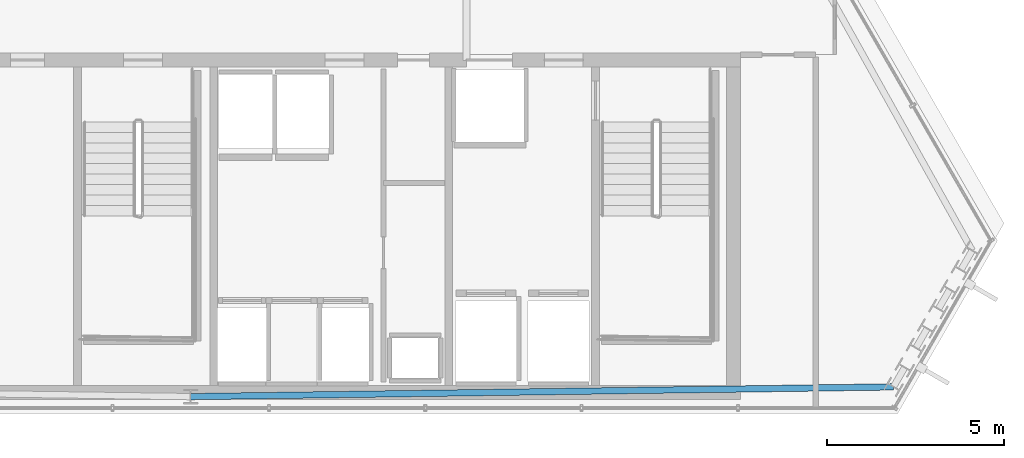
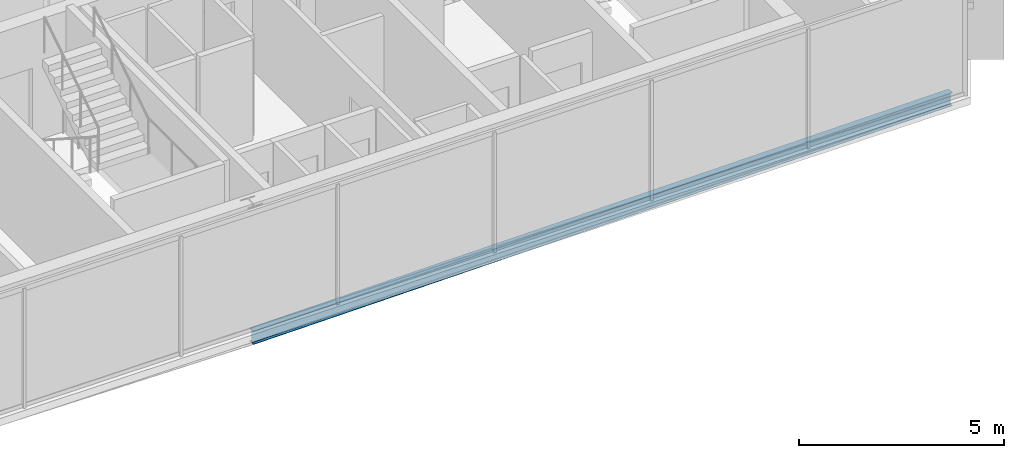
# One storey, part 21 of 34: 1 beam.
"""IFC4 building model written with IfcOpenShell, lengths in metres."""

import ifcopenshell
import ifcopenshell.guid

model = None  # the IFC model being written
_history = None  # IfcOwnerHistory: only IFC2X3 demands one
_inside = {}  # id of a spatial element -> (the spatial element, [elements in it])
_under = {}  # id of a project, library or spatial element -> (it, [spatial elements below it])
_declared = {}  # id of a project -> (the project, [libraries it declares])
_typed = {}  # id of a type object -> (the type object, [elements of that type])
_made_of = {}  # id of a material, layer set ... -> (it, [elements and type objects made of it])


def new_model(schema):
    """Start an empty IFC model of exactly this schema.

    Asked for "IFC4X3", IfcOpenShell would pick the latest addendum, in which some entities
    have other attributes; the version numbers below select the first issue.
    IFC2X3 requires an IfcOwnerHistory on every rooted entity: one is made here for all.
    """
    global model, _history
    if schema == "IFC4X3":
        model = ifcopenshell.file(schema_version=(4, 3, 0, 0))
    else:
        model = ifcopenshell.file(schema=schema)
    _inside.clear()
    _under.clear()
    _declared.clear()
    _typed.clear()
    _made_of.clear()
    _history = None
    if model.schema == "IFC2X3":
        org = make("IfcOrganization", Name="unknown")
        user = make(
            "IfcPersonAndOrganization",
            ThePerson=make("IfcPerson", FamilyName="unknown"),
            TheOrganization=org,
        )
        app = make(
            "IfcApplication",
            ApplicationDeveloper=org,
            Version="unknown",
            ApplicationFullName="unknown",
            ApplicationIdentifier="unknown",
        )
        _history = make(
            "IfcOwnerHistory",
            OwningUser=user,
            OwningApplication=app,
            ChangeAction="ADDED",
            CreationDate=0,
        )
    return model


def make(cls, **values):
    """One entity of the class cls with the attributes given. An attribute that is None is left unset."""
    return model.create_entity(
        cls, **{name: value for name, value in values.items() if value is not None}
    )


def rooted(cls, **values):
    """An entity with a GlobalId (a new one), such as an element, a storey or a relation."""
    return make(cls, GlobalId=ifcopenshell.guid.new(), OwnerHistory=_history, **values)


def si_unit(unit_type, name, prefix=None):
    """IfcSIUnit, for example si_unit("LENGTHUNIT", "METRE", prefix="MILLI")."""
    return make("IfcSIUnit", UnitType=unit_type, Prefix=prefix, Name=name)


def assignment(units):
    """IfcUnitAssignment: the units of a project."""
    return None if units is None else make("IfcUnitAssignment", Units=units)


def point(xyz):
    """IfcCartesianPoint."""
    return None if xyz is None else make("IfcCartesianPoint", Coordinates=xyz)


def direction(xyz):
    """IfcDirection."""
    return None if xyz is None else make("IfcDirection", DirectionRatios=xyz)


def frame(location, z_axis=None, x_axis=None):
    """IfcAxis2Placement3D, a coordinate frame: its origin and axes. An axis left out is left unset."""
    return make(
        "IfcAxis2Placement3D",
        Location=point(location),
        Axis=direction(z_axis),
        RefDirection=direction(x_axis),
    )


def frame_2d(location, x_axis=None):
    """IfcAxis2Placement2D, a coordinate frame in the plane: its origin and x axis."""
    return make(
        "IfcAxis2Placement2D", Location=point(location), RefDirection=direction(x_axis)
    )


def origin():
    """The frame at (0, 0, 0) with its axes left unset."""
    return frame((0.0, 0.0, 0.0))


def origin_2d():
    """The frame at (0, 0) in the plane with its x axis left unset."""
    return frame_2d((0.0, 0.0))


def place(relative_to, where):
    """IfcLocalPlacement: puts the frame where relative to a parent placement (None: the world)."""
    return make(
        "IfcLocalPlacement", PlacementRelTo=relative_to, RelativePlacement=where
    )


def context(
    kind, dimensions, precision=None, world=None, true_north=None, identifier=None
):
    """IfcGeometricRepresentationContext, for example the 3D "Model" context."""
    return make(
        "IfcGeometricRepresentationContext",
        ContextIdentifier=identifier,
        ContextType=kind,
        CoordinateSpaceDimension=dimensions,
        Precision=precision,
        WorldCoordinateSystem=world,
        TrueNorth=true_north,
    )


def subcontext(parent, identifier, kind, view, scale=None):
    """IfcGeometricRepresentationSubContext, for example "Body" below "Model"."""
    return make(
        "IfcGeometricRepresentationSubContext",
        ContextIdentifier=identifier,
        ContextType=kind,
        ParentContext=parent,
        TargetScale=scale,
        TargetView=view,
    )


def project(units=None, contexts=None):
    """IfcProject with its units and contexts."""
    return rooted(
        "IfcProject",
        Name="project",
        RepresentationContexts=contexts,
        UnitsInContext=assignment(units),
    )


def spatial(cls, under=None, at=None, **own):
    """A site, building, storey or space (cls), placed at a placement, below another one or the project."""
    s = rooted(cls, ObjectPlacement=at, **own)
    if under is not None:
        _under.setdefault(under.id(), (under, []))[1].append(s)
    return s


def profile(cls, at=None, kind="AREA", **sizes):
    """A parametric profile (cls). Its sizes go by their IFC names, for example OverallWidth=200.0."""
    return make(cls, ProfileType=kind, Position=at, **sizes)


def i_section(**sizes):
    """IfcIShapeProfileDef."""
    return profile("IfcIShapeProfileDef", **sizes)


def extrude(swept, where, along, depth):
    """IfcExtrudedAreaSolid: the profile swept, set in the frame where, extruded along a direction by depth."""
    return make(
        "IfcExtrudedAreaSolid",
        SweptArea=swept,
        Position=where,
        ExtrudedDirection=direction(along),
        Depth=depth,
    )


def shape(context_of_items, identifier, shape_type, items):
    """IfcShapeRepresentation: the items that make up one representation, for example the "Body"."""
    return make(
        "IfcShapeRepresentation",
        ContextOfItems=context_of_items,
        RepresentationIdentifier=identifier,
        RepresentationType=shape_type,
        Items=items,
    )


def material(Name=None, Category=None):
    """IfcMaterial."""
    return make("IfcMaterial", Name=Name, Category=Category)


def material_profile(
    of_material, cross_section, Name=None, Category=None, Priority=None
):
    """IfcMaterialProfile: a cross section and its material."""
    return make(
        "IfcMaterialProfile",
        Name=Name,
        Material=of_material,
        Profile=cross_section,
        Priority=Priority,
        Category=Category,
    )


def profile_set(profiles, Name=None, composite=None):
    """IfcMaterialProfileSet."""
    return make(
        "IfcMaterialProfileSet",
        Name=Name,
        MaterialProfiles=profiles,
        CompositeProfile=composite,
    )


def made_of(thing, what):
    """Note that an element or type object is made of a material, layer set ...; save() writes the relation."""
    if what is not None:
        _made_of.setdefault(what.id(), (what, []))[1].append(thing)
    return thing


def type_object(cls, material=None, **own):
    """A type object (cls), such as IfcWallType, which elements share."""
    return made_of(rooted(cls, **own), material)


def element(
    cls,
    number,
    at=None,
    inside=None,
    cuts=None,
    type_object=None,
    material=None,
    context=None,
    identifier="Body",
    shape_type=None,
    held_by="IfcProductDefinitionShape",
    body=None,
    shapes=None,
    **own,
):
    """One element of the class cls, such as IfcWall. Its Tag is "e" and its number.

    at: its placement. inside: the storey or other place that contains it. cuts: it is an
    opening in that element (IfcRelVoidsElement). A single representation is given by context,
    identifier, shape_type and body (its items); several are given by shapes. held_by: the class
    of the entity that holds the representations. save() writes the other relations.
    """
    e = rooted(cls, Tag="e%d" % number, ObjectPlacement=at, **own)
    if body is not None:
        shapes = [shape(context, identifier, shape_type, body)]
    if shapes is not None:
        e.Representation = make(held_by, Representations=shapes)
    if inside is not None:
        _inside.setdefault(inside.id(), (inside, []))[1].append(e)
    if cuts is not None:
        rooted(
            "IfcRelVoidsElement", RelatingBuildingElement=cuts, RelatedOpeningElement=e
        )
    if type_object is not None:
        _typed.setdefault(type_object.id(), (type_object, []))[1].append(e)
    return made_of(e, material)


def aggregate(whole, parts):
    """IfcRelAggregates: a whole, such as a stair, and the parts it consists of."""
    return rooted("IfcRelAggregates", RelatingObject=whole, RelatedObjects=parts)


def save(model, path):
    """Write the relations noted so far, then the file.

    IfcRelAggregates (storeys below a building ...), IfcRelContainedInSpatialStructure (elements
    in a storey), IfcRelDefinesByType, IfcRelAssociatesMaterial and IfcRelDeclares: one each for
    every whole, place, type object, material and project.
    """
    for whole, parts in _under.values():
        aggregate(whole, parts)
    for where, things in _inside.values():
        rooted(
            "IfcRelContainedInSpatialStructure",
            RelatedElements=things,
            RelatingStructure=where,
        )
    for kind, things in _typed.values():
        rooted("IfcRelDefinesByType", RelatedObjects=things, RelatingType=kind)
    for what, things in _made_of.values():
        rooted("IfcRelAssociatesMaterial", RelatedObjects=things, RelatingMaterial=what)
    for by, libraries in _declared.values():
        rooted("IfcRelDeclares", RelatingContext=by, RelatedDefinitions=libraries)
    model.write(path)


model = new_model("IFC4")

# Units and contexts
model_context = context("Model", 3, precision=1e-05, world=origin(), true_north=direction((0.0, 1.0)))
body_context = subcontext(model_context, "Body", "Model", "MODEL_VIEW")
ifc_project = project(units=[si_unit("LENGTHUNIT", "METRE"), si_unit("AREAUNIT", "SQUARE_METRE"), si_unit("VOLUMEUNIT", "CUBIC_METRE"), si_unit("PLANEANGLEUNIT", "RADIAN"), si_unit("MASSUNIT", "GRAM", prefix="KILO")], contexts=[model_context])

# Site, building, storey
site_placement = place(None, origin())
site = spatial("IfcSite", under=ifc_project, at=site_placement, CompositionType="ELEMENT")
building_placement = place(site_placement, origin())
building = spatial("IfcBuilding", under=site, at=building_placement, Name="Ndaravel Arena Tower", CompositionType="ELEMENT")
storey_placement = place(building_placement, frame((0.0, 0.0, 263.60009765625)))
storey = spatial("IfcBuildingStorey", under=building, at=storey_placement, Name="L64", CompositionType="ELEMENT", Elevation=263.60009765625)

# Beam
ifc_material = material(Name="Steel S355", Category="steel")
ifc_material_profile = material_profile(ifc_material, i_section(OverallWidth=0.179931640625, OverallDepth=0.39990234375, WebThickness=0.008544921875, FlangeThickness=0.013427734375, FilletRadius=0.02099609375, at=origin_2d()), Name="IPE 400")
ifc_profile_set = profile_set([ifc_material_profile], Name="Steel S355")
beam_type = type_object("IfcBeamType", Name="BM-SPAN-IPE400", PredefinedType="SPANDREL", material=ifc_profile_set)
beam_placement = place(storey_placement, frame((42.0, 5.47998046875, -0.420166015625), z_axis=(0.999903852114, 0.013866741789, 0.0), x_axis=(-0.013866741789, 0.999903852114, 0.0)))
element("IfcBeam", 1, at=beam_placement, inside=storey, type_object=beam_type, Name="L64 Perimeter Spandrel Beam SP-01", PredefinedType="SPANDREL", context=body_context, shape_type="SweptSolid", body=[
    extrude(i_section(OverallWidth=0.179931640625, OverallDepth=0.39990234375, WebThickness=0.008544921875, FlangeThickness=0.013427734375, FilletRadius=0.02099609375, at=origin_2d()), origin(), (0.0, 0.0, 1.0), 19.87744140625),
])

save(model, "model.ifc")
